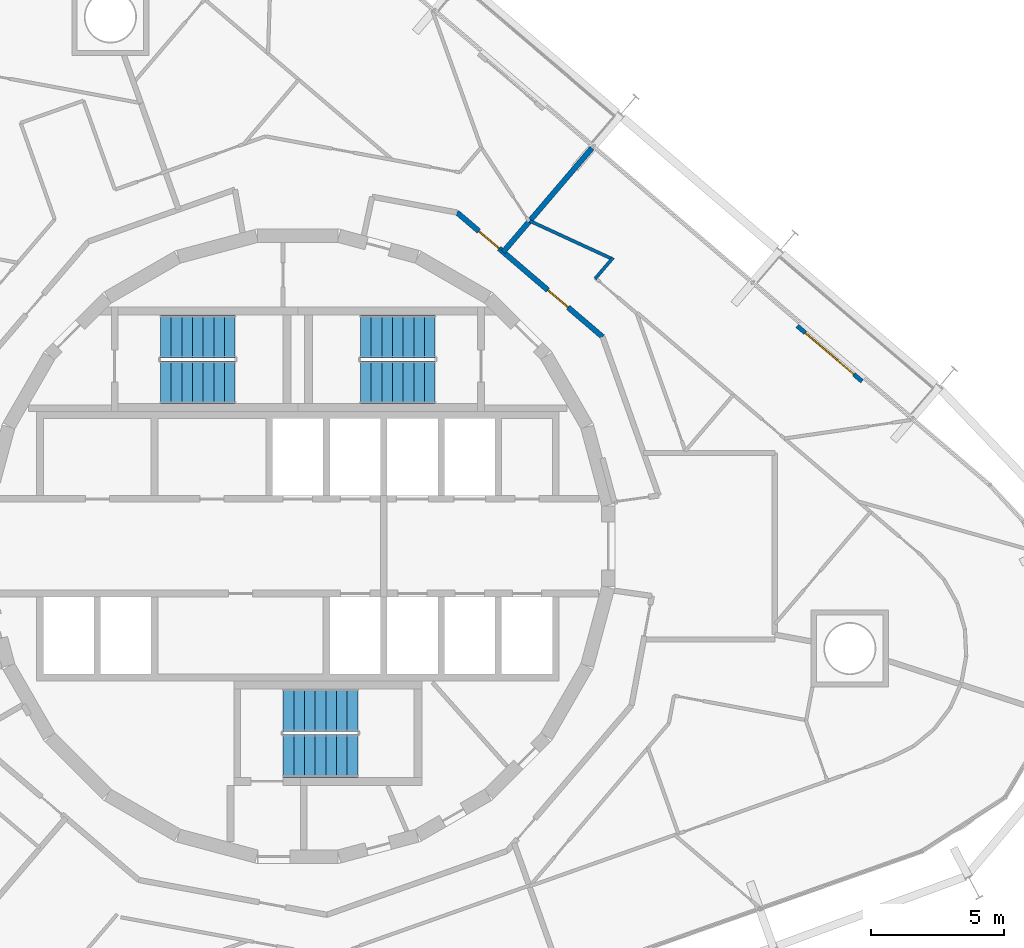
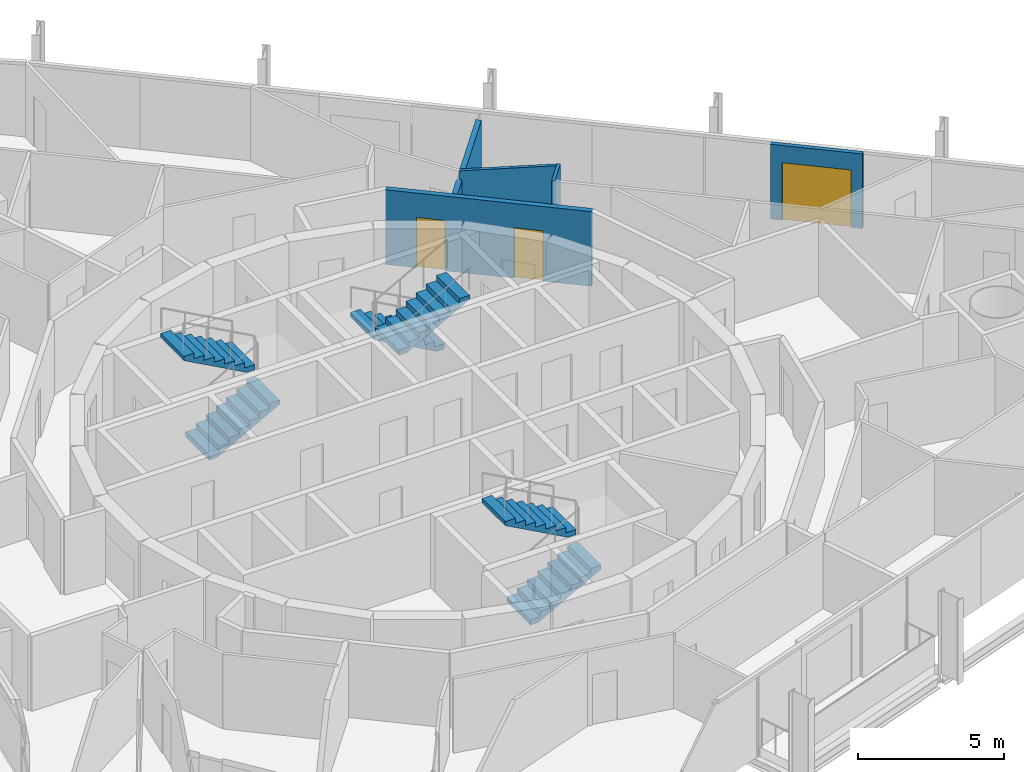
# One storey, part 16 of 17: 6 stair flights, 5 walls, 3 doors, 3 openings, 3 elements without a shape of their own.
"""IFC4 building model written with IfcOpenShell, lengths in metres."""

from ifc_helpers import new_model, si_unit, direction, frame, frame_2d, origin, place, context, subcontext, project, spatial, polyline, rectangle, outline, extrude, material, layer, layer_set, type_object, element, fill, aggregate, save


model = new_model("IFC4")

# Units and contexts
model_context = context("Model", 3, precision=1e-05, world=origin(), true_north=direction((0.0, 1.0)))
body_context = subcontext(model_context, "Body", "Model", "MODEL_VIEW")
ifc_project = project(units=[si_unit("LENGTHUNIT", "METRE"), si_unit("AREAUNIT", "SQUARE_METRE"), si_unit("VOLUMEUNIT", "CUBIC_METRE"), si_unit("PLANEANGLEUNIT", "RADIAN"), si_unit("MASSUNIT", "GRAM", prefix="KILO")], contexts=[model_context])

# Site, building, storey
site_placement = place(None, origin())
site = spatial("IfcSite", under=ifc_project, at=site_placement, CompositionType="ELEMENT")
building_placement = place(site_placement, origin())
building = spatial("IfcBuilding", under=site, at=building_placement, Name="Spindle Arch Residences", CompositionType="ELEMENT")
storey_placement = place(building_placement, frame((0.0, 0.0, 162.199951171875)))
storey = spatial("IfcBuildingStorey", under=building, at=storey_placement, Name="L40", CompositionType="ELEMENT", Elevation=162.199951171875)

# Wall, openings, doors
ifc_material_1 = material(Name="Calcium silicate block, plastered")
ifc_layer_1 = layer(ifc_material_1, 0.199951171875)
ifc_layer_set_1 = layer_set([ifc_layer_1], Name="Corridor wall 200")
wall_type_1 = type_object("IfcWallType", Name="Corridor wall 200", PredefinedType="STANDARD", material=ifc_layer_set_1)
wall_1_placement = place(storey_placement, frame((11.432861328125, 7.857666015625, 0.0), z_axis=(0.0, 0.0, 1.0), x_axis=(-0.760412154545, 0.649440801937, 0.0)))
wall_1 = element("IfcWall", 1, at=wall_1_placement, inside=storey, type_object=wall_type_1, Name="Corridor wall R4B1-W004", PredefinedType="STANDARD", context=body_context, shape_type="SweptSolid", body=[
    extrude(rectangle(XDim=7.180908203125, YDim=0.199951171875, at=frame_2d((3.59033203125, 0.0))), origin(), (0.0, 0.0, 1.0), 3.1201171875),
])
opening_1_placement = place(wall_1_placement, frame((1.699951171875, 0.0, 0.0)))
opening_1 = element("IfcOpeningElement", 2, at=opening_1_placement, cuts=wall_1, Name="Opening R4B1-FD01", PredefinedType="OPENING", context=body_context, shape_type="SweptSolid", body=[
    extrude(rectangle(XDim=1.0, YDim=2.10009765625, at=frame_2d((0.5, 1.050048828125))), frame((0.0, 0.10986328125, 0.0), z_axis=(0.0, -1.0, 0.0), x_axis=(1.0, 0.0, 0.0)), (0.0, 0.0, 1.0), 0.219970703125),
])
opening_2_placement = place(wall_1_placement, frame((5.1005859375, 0.0, 0.0)))
opening_2 = element("IfcOpeningElement", 3, at=opening_2_placement, cuts=wall_1, Name="Opening R4B1-FD02", PredefinedType="OPENING", context=body_context, shape_type="SweptSolid", body=[
    extrude(rectangle(XDim=1.0, YDim=2.10009765625, at=frame_2d((0.5, 1.050048828125))), frame((0.0, 0.10986328125, 0.0), z_axis=(0.0, -1.0, 0.0), x_axis=(1.0, 0.0, 0.0)), (0.0, 0.0, 1.0), 0.219970703125),
])
ifc_material_2 = material(Name="Timber, fire-resisting door set", Category="wood")
door_type_1 = type_object("IfcDoorType", Name="Flat entrance door 1000x2100", OperationType="NOTDEFINED", PredefinedType="DOOR", material=ifc_material_2)
door_1_placement = place(opening_1_placement, origin())
door_1 = element("IfcDoor", 4, at=door_1_placement, inside=storey, type_object=door_type_1, Name="Flat entrance door R4B1-FD01", OperationType="SINGLE_SWING_LEFT", OverallHeight=2.10009765625, OverallWidth=1.0, PredefinedType="DOOR", context=body_context, shape_type="SweptSolid", body=[
    extrude(rectangle(XDim=1.0, YDim=2.10009765625, at=frame_2d((0.5, 1.050048828125))), frame((0.0, 0.02490234375, 0.0), z_axis=(0.0, -1.0, 0.0), x_axis=(1.0, 0.0, 0.0)), (0.0, 0.0, 1.0), 0.050048828125),
])
fill(opening_1, door_1)
door_2_placement = place(opening_2_placement, origin())
door_2 = element("IfcDoor", 5, at=door_2_placement, inside=storey, type_object=door_type_1, Name="Flat entrance door R4B1-FD02", OperationType="SINGLE_SWING_RIGHT", OverallHeight=2.10009765625, OverallWidth=1.0, PredefinedType="DOOR", context=body_context, shape_type="SweptSolid", body=[
    extrude(rectangle(XDim=1.0, YDim=2.10009765625, at=frame_2d((0.5, 1.050048828125))), frame((0.0, 0.02490234375, 0.0), z_axis=(0.0, -1.0, 0.0), x_axis=(1.0, 0.0, 0.0)), (0.0, 0.0, 1.0), 0.050048828125),
])
fill(opening_2, door_2)

# Walls
ifc_material_3 = material(Name="Plasterboard on steel studs", Category="steel")
ifc_layer_2 = layer(ifc_material_3, 0.1201171875)
ifc_layer_set_2 = layer_set([ifc_layer_2], Name="Flat partition 120")
wall_type_2 = type_object("IfcWallType", Name="Flat partition 120", PredefinedType="PARTITIONING", material=ifc_layer_set_2)
wall_2_placement = place(storey_placement, frame((11.152587890625, 10.0341796875, 0.0), z_axis=(0.0, 0.0, 1.0), x_axis=(0.649381401329, 0.760462882466, 0.0)))
element("IfcWall", 6, at=wall_2_placement, inside=storey, type_object=wall_type_2, Name="Flat partition R4B1-W041", PredefinedType="PARTITIONING", context=body_context, shape_type="SweptSolid", body=[
    extrude(rectangle(XDim=1.041748046875, YDim=0.1201171875, at=frame_2d((0.52099609375, 0.0))), origin(), (0.0, 0.0, 1.0), 3.1201171875),
])
wall_3_placement = place(storey_placement, frame((11.790283203125, 10.78076171875, 0.0), z_axis=(0.0, 0.0, 1.0), x_axis=(-0.907999296286, 0.418971691101, 0.0)))
element("IfcWall", 7, at=wall_3_placement, inside=storey, type_object=wall_type_2, Name="Flat partition R4B1-W042", PredefinedType="PARTITIONING", context=body_context, shape_type="SweptSolid", body=[
    extrude(rectangle(XDim=3.4013671875, YDim=0.1201171875, at=frame_2d((1.70068359375, 0.0))), origin(), (0.0, 0.0, 1.0), 3.1201171875),
])
ifc_material_4 = material(Name="Calcium silicate block, plastered")
ifc_layer_3 = layer(ifc_material_4, 0.199951171875)
ifc_layer_set_3 = layer_set([ifc_layer_3], Name="Flat party wall 200 under beam 2730")
wall_type_3 = type_object("IfcWallType", Name="Flat party wall 200 under beam 2730", PredefinedType="STANDARD", material=ifc_layer_set_3)
wall_4_placement = place(storey_placement, frame((11.0400390625, 14.943359375, 0.0), z_axis=(0.0, 0.0, 1.0), x_axis=(-0.649442880087, -0.760410379666, 0.0)))
element("IfcWall", 8, at=wall_4_placement, inside=storey, type_object=wall_type_3, Name="Flat party wall R4B1-W028", PredefinedType="STANDARD", context=body_context, shape_type="SweptSolid", body=[
    extrude(rectangle(XDim=5.1328125, YDim=0.199951171875, at=frame_2d((2.56640625, 0.0))), origin(), (0.0, 0.0, 1.0), 2.72998046875),
])

# Wall, opening, door
ifc_material_5 = material(Name="Non-combustible mineral wool insulated aluminium faced external wall (K0)", Category="aluminium")
ifc_layer_4 = layer(ifc_material_5, 0.159912109375)
ifc_layer_set_4 = layer_set([ifc_layer_4], Name="Insulated external wall panel 160")
wall_type_4 = type_object("IfcWallType", Name="Insulated external wall panel 160", PredefinedType="STANDARD", material=ifc_layer_set_4)
wall_5_placement = place(storey_placement, frame((21.169921875, 6.186279296875, 0.0), z_axis=(0.0, 0.0, 1.0), x_axis=(-0.760359548534, 0.649502391799, 0.0)))
wall_5 = element("IfcWall", 9, at=wall_5_placement, inside=storey, type_object=wall_type_4, Name="External wall L40 bay 6", PredefinedType="STANDARD", context=body_context, shape_type="SweptSolid", body=[
    extrude(rectangle(XDim=3.199951171875, YDim=0.159912109375, at=frame_2d((1.60009765625, 0.0))), origin(), (0.0, 0.0, 1.0), 3.1201171875),
])
opening_3_placement = place(wall_5_placement, frame((0.39990234375, 0.0, 0.0)))
opening_3 = element("IfcOpeningElement", 10, at=opening_3_placement, cuts=wall_5, Name="Opening BD06", PredefinedType="OPENING", context=body_context, shape_type="SweptSolid", body=[
    extrude(rectangle(XDim=2.39990234375, YDim=2.39990234375, at=frame_2d((1.199951171875, 1.199951171875))), frame((0.0, 0.08984375, 0.0), z_axis=(0.0, -1.0, 0.0), x_axis=(1.0, 0.0, 0.0)), (0.0, 0.0, 1.0), 0.179931640625),
])
ifc_material_6 = material(Name="Bronze aluminium frame, tinted double glazing", Category="aluminium")
door_type_2 = type_object("IfcDoorType", Name="Sliding glazed balcony door 2400x2400", OperationType="DOUBLE_DOOR_SLIDING", PredefinedType="DOOR", material=ifc_material_6)
door_3_placement = place(opening_3_placement, origin())
door_3 = element("IfcDoor", 11, at=door_3_placement, inside=storey, type_object=door_type_2, Name="Balcony door BD06", OperationType="DOUBLE_DOOR_SLIDING", OverallHeight=2.39990234375, OverallWidth=2.39990234375, PredefinedType="DOOR", context=body_context, shape_type="SweptSolid", body=[
    extrude(rectangle(XDim=2.39990234375, YDim=2.39990234375, at=frame_2d((1.199951171875, 1.199951171875))), frame((0.0, 0.02490234375, 0.0), z_axis=(0.0, -1.0, 0.0), x_axis=(1.0, 0.0, 0.0)), (0.0, 0.0, 1.0), 0.050048828125),
])
fill(opening_3, door_3)

# Stair, stair flights
ifc_material_7 = material(Name="Concrete C50/60", Category="concrete")
stair_type = type_object("IfcStairType", Name="Exit stair 16 risers", PredefinedType="HALF_TURN_STAIR", material=ifc_material_7)
stair_1_placement = place(storey_placement, origin())
stair_1 = element("IfcStair", 12, at=stair_1_placement, inside=storey, type_object=stair_type, Name="L40 Exit stair ST1", PredefinedType="HALF_TURN_STAIR")
ifc_material_8 = material(Name="Concrete C50/60", Category="concrete")
stair_flight_type = type_object("IfcStairFlightType", Name="Exit stair flight", PredefinedType="STRAIGHT", material=ifc_material_8)
stair_flight_1_placement = place(storey_placement, frame((5.14990234375, 7.8701171875, 0.0), z_axis=(0.0, 0.0, 1.0), x_axis=(-1.0, 0.0, 0.0)))
stair_flight_1 = element("IfcStairFlight", 13, at=stair_flight_1_placement, type_object=stair_flight_type, Name="ST1 flight 1", NumberOfRisers=8, NumberOfTreads=7, PredefinedType="STRAIGHT", RiserHeight=0.21875, TreadLength=0.4, context=body_context, shape_type="SweptSolid", body=[
    extrude(outline(polyline([(0.0, 0.0), (0.0, 0.21875), (0.39990234375, 0.21875), (0.39990234375, 0.4375), (0.800048828125, 0.4375), (0.800048828125, 0.65625), (1.199951171875, 0.65625), (1.199951171875, 0.875), (1.60009765625, 0.875), (1.60009765625, 1.09375), (2.0, 1.09375), (2.0, 1.3125), (2.39990234375, 1.3125), (2.39990234375, 1.53125), (2.800048828125, 1.53125), (2.800048828125, 1.75), (2.800048828125, 1.3603515625), (0.3125, 0.0), (0.0, 0.0)])), frame((0.0, 0.800048828125, 0.0), z_axis=(0.0, -1.0, 0.0), x_axis=(1.0, 0.0, 0.0)), (0.0, 0.0, 1.0), 1.60009765625),
])
stair_flight_2_placement = place(storey_placement, frame((2.35009765625, 6.14990234375, 1.75), z_axis=(0.0, 0.0, 1.0), x_axis=(1.0, 0.0, 0.0)))
stair_flight_2 = element("IfcStairFlight", 14, at=stair_flight_2_placement, type_object=stair_flight_type, Name="ST1 flight 2", NumberOfRisers=8, NumberOfTreads=7, PredefinedType="STRAIGHT", RiserHeight=0.21875, TreadLength=0.4, context=body_context, shape_type="SweptSolid", body=[
    extrude(outline(polyline([(0.0, 0.0), (0.0, 0.21875), (0.39990234375, 0.21875), (0.39990234375, 0.4375), (0.800048828125, 0.4375), (0.800048828125, 0.65625), (1.199951171875, 0.65625), (1.199951171875, 0.875), (1.60009765625, 0.875), (1.60009765625, 1.09375), (2.0, 1.09375), (2.0, 1.3125), (2.39990234375, 1.3125), (2.39990234375, 1.53125), (2.800048828125, 1.53125), (2.800048828125, 1.75), (2.800048828125, 1.3603515625), (0.3125, 0.0), (0.0, 0.0)])), frame((0.0, 0.800048828125, 0.0), z_axis=(0.0, -1.0, 0.0), x_axis=(1.0, 0.0, 0.0)), (0.0, 0.0, 1.0), 1.60009765625),
])
aggregate(stair_1, [stair_flight_1, stair_flight_2])

stair_2_placement = place(storey_placement, origin())
stair_2 = element("IfcStair", 15, at=stair_2_placement, inside=storey, type_object=stair_type, Name="L40 Exit stair ST2", PredefinedType="HALF_TURN_STAIR")
stair_flight_3_placement = place(storey_placement, frame((-5.14990234375, 6.14990234375, 0.0), z_axis=(0.0, 0.0, 1.0), x_axis=(1.0, 0.0, 0.0)))
stair_flight_3 = element("IfcStairFlight", 16, at=stair_flight_3_placement, type_object=stair_flight_type, Name="ST2 flight 1", NumberOfRisers=8, NumberOfTreads=7, PredefinedType="STRAIGHT", RiserHeight=0.21875, TreadLength=0.4, context=body_context, shape_type="SweptSolid", body=[
    extrude(outline(polyline([(0.0, 0.0), (0.0, 0.21875), (0.39990234375, 0.21875), (0.39990234375, 0.4375), (0.800048828125, 0.4375), (0.800048828125, 0.65625), (1.199951171875, 0.65625), (1.199951171875, 0.875), (1.60009765625, 0.875), (1.60009765625, 1.09375), (2.0, 1.09375), (2.0, 1.3125), (2.39990234375, 1.3125), (2.39990234375, 1.53125), (2.800048828125, 1.53125), (2.800048828125, 1.75), (2.800048828125, 1.3603515625), (0.3125, 0.0), (0.0, 0.0)])), frame((0.0, 0.800048828125, 0.0), z_axis=(0.0, -1.0, 0.0), x_axis=(1.0, 0.0, 0.0)), (0.0, 0.0, 1.0), 1.60009765625),
])
stair_flight_4_placement = place(storey_placement, frame((-2.35009765625, 7.8701171875, 1.75), z_axis=(0.0, 0.0, 1.0), x_axis=(-1.0, 0.0, 0.0)))
stair_flight_4 = element("IfcStairFlight", 17, at=stair_flight_4_placement, type_object=stair_flight_type, Name="ST2 flight 2", NumberOfRisers=8, NumberOfTreads=7, PredefinedType="STRAIGHT", RiserHeight=0.21875, TreadLength=0.4, context=body_context, shape_type="SweptSolid", body=[
    extrude(outline(polyline([(0.0, 0.0), (0.0, 0.21875), (0.39990234375, 0.21875), (0.39990234375, 0.4375), (0.800048828125, 0.4375), (0.800048828125, 0.65625), (1.199951171875, 0.65625), (1.199951171875, 0.875), (1.60009765625, 0.875), (1.60009765625, 1.09375), (2.0, 1.09375), (2.0, 1.3125), (2.39990234375, 1.3125), (2.39990234375, 1.53125), (2.800048828125, 1.53125), (2.800048828125, 1.75), (2.800048828125, 1.3603515625), (0.3125, 0.0), (0.0, 0.0)])), frame((0.0, 0.800048828125, 0.0), z_axis=(0.0, -1.0, 0.0), x_axis=(1.0, 0.0, 0.0)), (0.0, 0.0, 1.0), 1.60009765625),
])
aggregate(stair_2, [stair_flight_3, stair_flight_4])

stair_3_placement = place(storey_placement, origin())
stair_3 = element("IfcStair", 18, at=stair_3_placement, inside=storey, type_object=stair_type, Name="L40 Exit stair ST3", PredefinedType="HALF_TURN_STAIR")
stair_flight_5_placement = place(storey_placement, frame((-0.550048828125, -7.8701171875, 0.0), z_axis=(0.0, 0.0, 1.0), x_axis=(1.0, 0.0, 0.0)))
stair_flight_5 = element("IfcStairFlight", 19, at=stair_flight_5_placement, type_object=stair_flight_type, Name="ST3 flight 1", NumberOfRisers=8, NumberOfTreads=7, PredefinedType="STRAIGHT", RiserHeight=0.21875, TreadLength=0.4, context=body_context, shape_type="SweptSolid", body=[
    extrude(outline(polyline([(0.0, 0.0), (0.0, 0.21875), (0.39990234375, 0.21875), (0.39990234375, 0.4375), (0.800048828125, 0.4375), (0.800048828125, 0.65625), (1.199951171875, 0.65625), (1.199951171875, 0.875), (1.60009765625, 0.875), (1.60009765625, 1.09375), (2.0, 1.09375), (2.0, 1.3125), (2.39990234375, 1.3125), (2.39990234375, 1.53125), (2.800048828125, 1.53125), (2.800048828125, 1.75), (2.800048828125, 1.3603515625), (0.3125, 0.0), (0.0, 0.0)])), frame((0.0, 0.800048828125, 0.0), z_axis=(0.0, -1.0, 0.0), x_axis=(1.0, 0.0, 0.0)), (0.0, 0.0, 1.0), 1.60009765625),
])
stair_flight_6_placement = place(storey_placement, frame((2.25, -6.14990234375, 1.75), z_axis=(0.0, 0.0, 1.0), x_axis=(-1.0, 0.0, 0.0)))
stair_flight_6 = element("IfcStairFlight", 20, at=stair_flight_6_placement, type_object=stair_flight_type, Name="ST3 flight 2", NumberOfRisers=8, NumberOfTreads=7, PredefinedType="STRAIGHT", RiserHeight=0.21875, TreadLength=0.4, context=body_context, shape_type="SweptSolid", body=[
    extrude(outline(polyline([(0.0, 0.0), (0.0, 0.21875), (0.39990234375, 0.21875), (0.39990234375, 0.4375), (0.800048828125, 0.4375), (0.800048828125, 0.65625), (1.199951171875, 0.65625), (1.199951171875, 0.875), (1.60009765625, 0.875), (1.60009765625, 1.09375), (2.0, 1.09375), (2.0, 1.3125), (2.39990234375, 1.3125), (2.39990234375, 1.53125), (2.800048828125, 1.53125), (2.800048828125, 1.75), (2.800048828125, 1.3603515625), (0.3125, 0.0), (0.0, 0.0)])), frame((0.0, 0.800048828125, 0.0), z_axis=(0.0, -1.0, 0.0), x_axis=(1.0, 0.0, 0.0)), (0.0, 0.0, 1.0), 1.60009765625),
])
aggregate(stair_3, [stair_flight_5, stair_flight_6])

save(model, "model.ifc")
